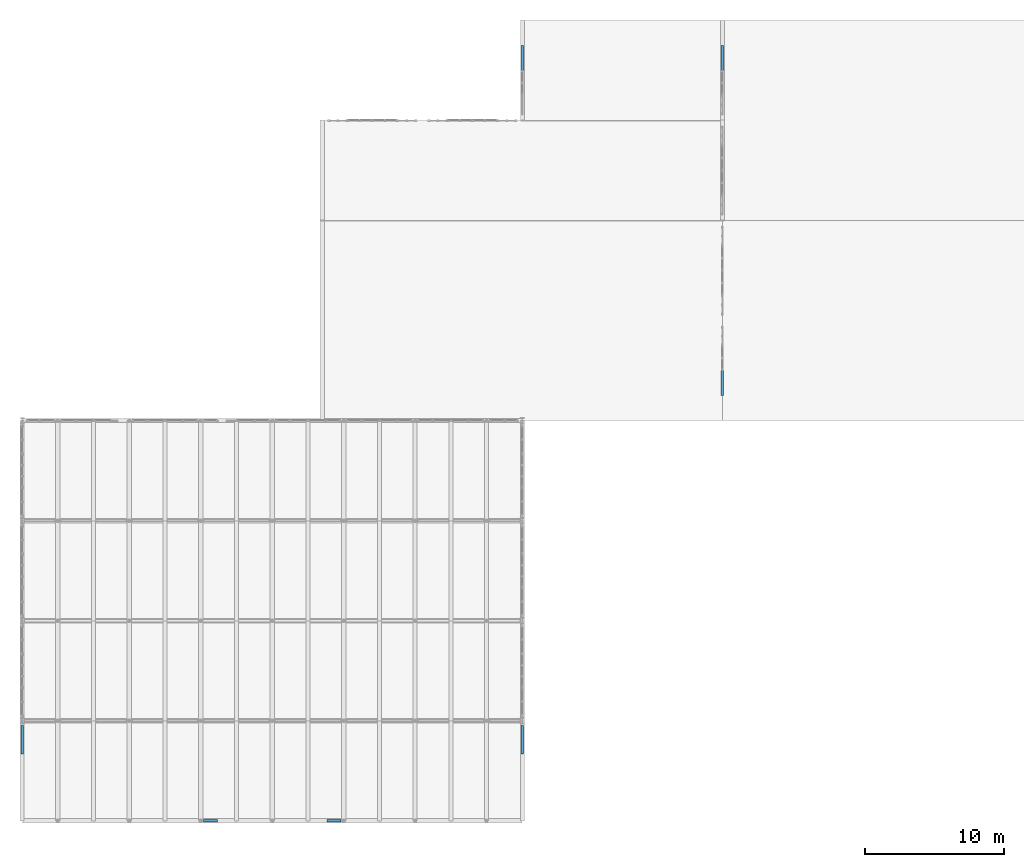
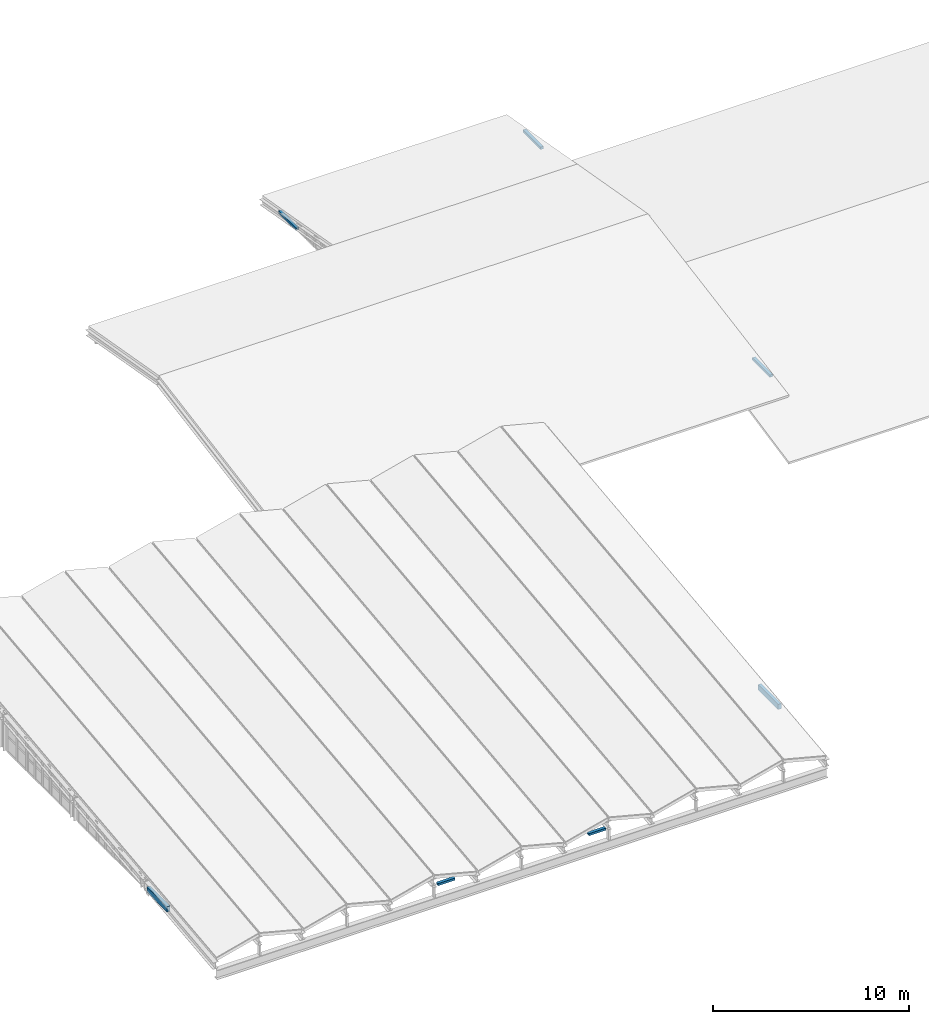
# One storey, part 38 of 39: 7 walls.
"""IFC4 building model written with IfcOpenShell, lengths in metres."""

from ifc_helpers import new_model, si_unit, direction, frame, frame_2d, origin, place, context, subcontext, project, spatial, rectangle, extrude, material, layer, layer_set, type_object, element, save


model = new_model("IFC4")

# Units and contexts
model_context = context("Model", 3, precision=1e-05, world=origin(), true_north=direction((0.0, 1.0)))
body_context = subcontext(model_context, "Body", "Model", "MODEL_VIEW")
ifc_project = project(units=[si_unit("LENGTHUNIT", "METRE"), si_unit("AREAUNIT", "SQUARE_METRE"), si_unit("VOLUMEUNIT", "CUBIC_METRE"), si_unit("PLANEANGLEUNIT", "RADIAN"), si_unit("MASSUNIT", "GRAM", prefix="KILO"), si_unit("THERMODYNAMICTEMPERATUREUNIT", "KELVIN"), si_unit("POWERUNIT", "WATT")], contexts=[model_context])

# Site, building, storey
site_placement = place(None, origin())
site = spatial("IfcSite", under=ifc_project, at=site_placement, CompositionType="ELEMENT")
building_placement = place(site_placement, origin())
building = spatial("IfcBuilding", under=site, at=building_placement, Name="Kaldorven Railside Theatre", CompositionType="ELEMENT")
storey_placement = place(building_placement, frame((0.0, 0.0, 27.300048828125)))
storey = spatial("IfcBuildingStorey", under=building, at=storey_placement, Name="ROOF", CompositionType="ELEMENT", Elevation=27.300048828125)

# Walls
ifc_material = material(Name="Architectural concrete C40/50", Category="concrete")
ifc_layer = layer(ifc_material, 0.179931640625, Name="Architectural concrete C40/50")
ifc_layer_set = layer_set([ifc_layer], Name="Architectural concrete C40/50")
wall_type = type_object("IfcWallType", Name="WL-EW08", PredefinedType="PARAPET", material=ifc_layer_set)
for number, where, z_axis, x_axis, name in (
    (1, (100.257080078125, 84.0, 0.02001953125), (0.0, 0.0, 1.0), (1.0, 0.0, 0.0), "Fly-Tower South Crown Clerestory Eave Spandrel 61"),
    (2, (109.139892578125, 84.0, 0.02001953125), (0.0, 0.0, 1.0), (1.0, 0.0, 0.0), "Fly-Tower South Crown Clerestory Eave Spandrel 62"),
):
    element("IfcWall", number, at=place(storey_placement, frame(where, z_axis=z_axis, x_axis=x_axis)), inside=storey, type_object=wall_type, Name=name, PredefinedType="PARAPET", context=body_context, shape_type="SweptSolid", body=[
        extrude(rectangle(XDim=1.0029296875, YDim=0.179931640625, at=frame_2d((0.50146484375, 0.0))), origin(), (0.0, 0.0, 1.0), 0.1298828125),
    ])
for number, where, z_axis, x_axis, name in (
    (3, (87.199951171875, 88.800048828125, 0.02001953125), (0.0, 0.0, 1.0), (0.0, 1.0, 0.0), "Fly-Tower West Crown Clerestory Eave Spandrel 91"),
    (4, (123.199951171875, 88.800048828125, 0.02001953125), (0.0, 0.0, 1.0), (0.0, 1.0, 0.0), "Fly-Tower East Crown Clerestory Eave Spandrel 101"),
):
    element("IfcWall", number, at=place(storey_placement, frame(where, z_axis=z_axis, x_axis=x_axis)), inside=storey, type_object=wall_type, Name=name, PredefinedType="PARAPET", context=body_context, shape_type="SweptSolid", body=[
        extrude(rectangle(XDim=2.06005859375, YDim=0.179931640625, at=frame_2d((1.030029296875, 0.0))), origin(), (0.0, 0.0, 1.0), 0.31982421875),
    ])
wall_placement = place(storey_placement, frame((137.60009765625, 114.60009765625, 0.02001953125), z_axis=(0.0, 0.0, 1.0), x_axis=(0.0, 1.0, 0.0)))
element("IfcWall", 5, at=wall_placement, inside=storey, type_object=wall_type, Name="Upper Plant East Gable Clerestory Eave Spandrel 185", PredefinedType="PARAPET", context=body_context, shape_type="SweptSolid", body=[
    extrude(rectangle(XDim=1.7998046875, YDim=0.179931640625, at=frame_2d((0.89990234375, 0.0))), origin(), (0.0, 0.0, 1.0), 0.14990234375),
])
for number, where, z_axis, x_axis, name in (
    (6, (137.60009765625, 138.0, 0.02001953125), (0.0, 0.0, 1.0), (0.0, 1.0, 0.0), "Upper Plant East Gable Clerestory Eave Spandrel 198"),
    (7, (123.199951171875, 138.0, 0.02001953125), (0.0, 0.0, 1.0), (0.0, 1.0, 0.0), "Upper Plant West Gable Clerestory Eave Spandrel 201"),
):
    element("IfcWall", number, at=place(storey_placement, frame(where, z_axis=z_axis, x_axis=x_axis)), inside=storey, type_object=wall_type, Name=name, PredefinedType="PARAPET", context=body_context, shape_type="SweptSolid", body=[
        extrude(rectangle(XDim=1.800048828125, YDim=0.179931640625, at=frame_2d((0.89990234375, 0.0))), origin(), (0.0, 0.0, 1.0), 0.14990234375),
    ])

save(model, "model.ifc")
